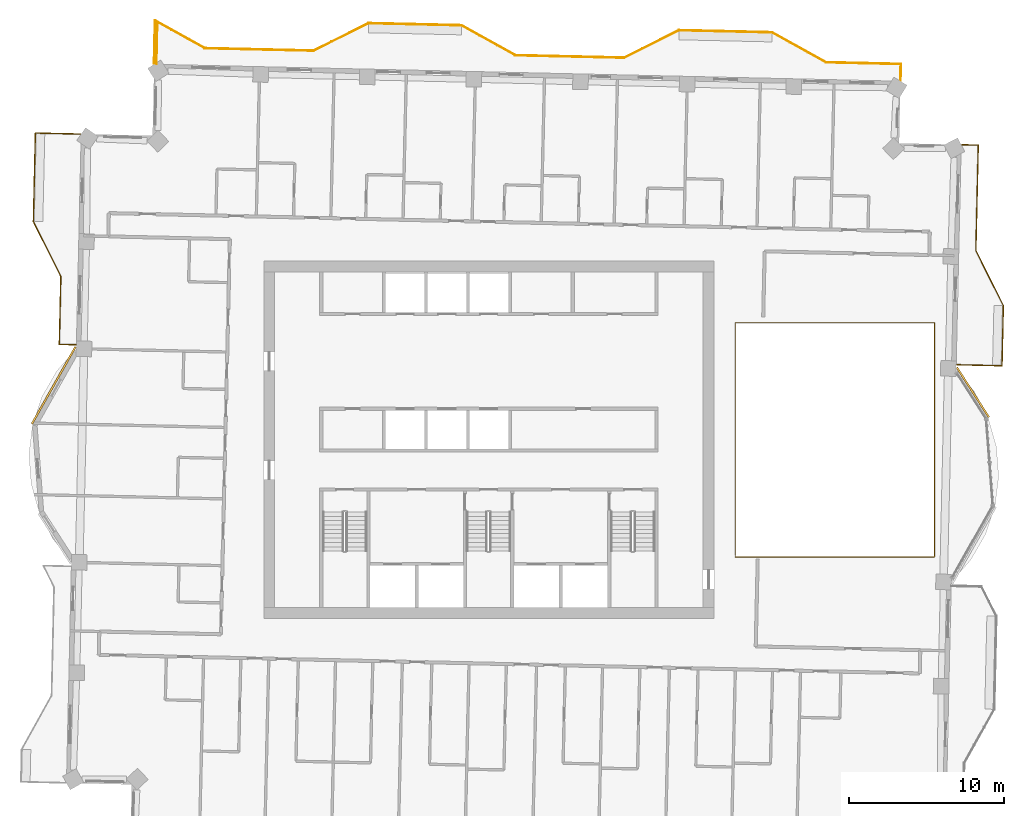
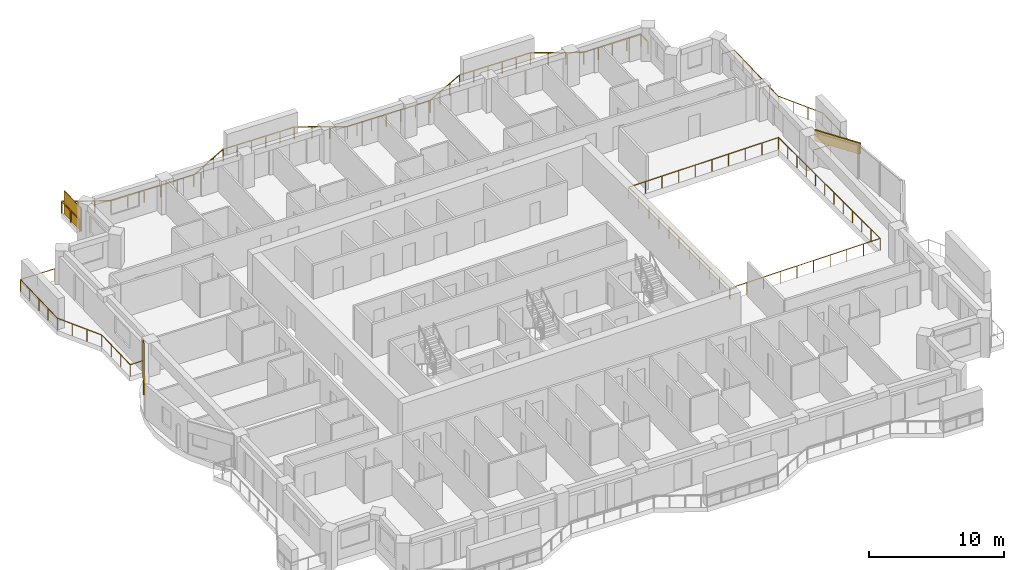
# One storey, part 17 of 17: 4 railings, 2 coverings, 1 shading device.
"""IFC4 building model written with IfcOpenShell, lengths in metres."""

from ifc_helpers import new_model, si_unit, direction, frame, frame_2d, origin, origin_2d, place, context, subcontext, project, spatial, rectangle, extrude, material, layer, layer_set, type_object, element, save


model = new_model("IFC4")

# Units and contexts
model_context = context("Model", 3, precision=1e-05, world=origin(), true_north=direction((0.0, 1.0)))
body_context = subcontext(model_context, "Body", "Model", "MODEL_VIEW")
ifc_project = project(units=[si_unit("LENGTHUNIT", "METRE"), si_unit("AREAUNIT", "SQUARE_METRE"), si_unit("VOLUMEUNIT", "CUBIC_METRE"), si_unit("PLANEANGLEUNIT", "RADIAN"), si_unit("MASSUNIT", "GRAM", prefix="KILO")], contexts=[model_context])

# Site, building, storey
site_placement = place(None, origin())
site = spatial("IfcSite", under=ifc_project, at=site_placement, CompositionType="ELEMENT")
building_placement = place(site_placement, origin())
building = spatial("IfcBuilding", under=site, at=building_placement, Name="Mangrove Gate Tower", CompositionType="ELEMENT")
storey_placement = place(building_placement, frame((0.0, 0.0, 257.300048828125)))
storey = spatial("IfcBuildingStorey", under=building, at=storey_placement, Name="L65", CompositionType="ELEMENT", Elevation=257.300048828125)

# Railings
ifc_material_1 = material(Name="Stainless steel grade 316 with laminated glass infill", Category="steel")
railing_type = type_object("IfcRailingType", Name="Balcony guard 1100", PredefinedType="GUARDRAIL", material=ifc_material_1)
railing_1_placement = place(storey_placement, frame((30.1298828125, 4.830078125, 0.0)))
element("IfcRailing", 1, at=railing_1_placement, inside=storey, type_object=railing_type, Name="GUARD L65 E2", PredefinedType="GUARDRAIL", context=body_context, shape_type="SweptSolid", body=[
    extrude(rectangle(XDim=0.048095703125, YDim=0.048095703125, at=origin_2d()), frame((0.0, 0.0, 1.076171875), z_axis=(0.999741662318, -0.022729026048, 0.0), x_axis=(0.022729026048, 0.999741662318, 0.0)), (0.0, 0.0, 1.0), 2.910888671875),
    extrude(rectangle(XDim=0.048095703125, YDim=0.048095703125, at=origin_2d()), frame((2.91015625, -0.066162109375, 1.076171875), z_axis=(0.022435098042, 0.999748301512, 0.0), x_axis=(-0.999748301512, 0.022435098042, 0.0)), (0.0, 0.0, 1.0), 3.8740234375),
    extrude(rectangle(XDim=0.048095703125, YDim=0.048095703125, at=origin_2d()), frame((2.9970703125, 3.806884765625, 1.076171875), z_axis=(-0.447016280881, 0.894525821107, 0.0), x_axis=(-0.894525821107, -0.447016280881, 0.0)), (0.0, 0.0, 1.0), 3.959716796875),
    extrude(rectangle(XDim=0.048095703125, YDim=0.048095703125, at=origin_2d()), frame((1.22705078125, 7.348876953125, 1.076171875), z_axis=(0.022798884737, 0.999740071646, 0.0), x_axis=(-0.999740071646, 0.022798884737, 0.0)), (0.0, 0.0, 1.0), 6.7998046875),
    extrude(rectangle(XDim=0.048095703125, YDim=0.048095703125, at=origin_2d()), frame((1.382080078125, 14.14697265625, 1.076171875), z_axis=(-0.999745389313, 0.022564497502, 0.0), x_axis=(-0.022564497502, -0.999745389313, 0.0)), (0.0, 0.0, 1.0), 1.060302734375),
    extrude(rectangle(XDim=0.0419921875, YDim=0.0419921875, at=origin_2d()), origin(), (0.0, 0.0, 1.0), 1.052001953125),
    extrude(rectangle(XDim=0.0419921875, YDim=0.0419921875, at=origin_2d()), frame((1.455078125, -0.033203125, 0.0)), (0.0, 0.0, 1.0), 1.052001953125),
    extrude(rectangle(XDim=0.0419921875, YDim=0.0419921875, at=origin_2d()), frame((2.91015625, -0.066162109375, 0.0)), (0.0, 0.0, 1.0), 1.052001953125),
    extrude(rectangle(XDim=0.0419921875, YDim=0.0419921875, at=origin_2d()), frame((2.939208984375, 1.224853515625, 0.0)), (0.0, 0.0, 1.0), 1.052001953125),
    extrude(rectangle(XDim=0.0419921875, YDim=0.0419921875, at=origin_2d()), frame((2.968017578125, 2.515869140625, 0.0)), (0.0, 0.0, 1.0), 1.052001953125),
    extrude(rectangle(XDim=0.0419921875, YDim=0.0419921875, at=origin_2d()), frame((2.9970703125, 3.806884765625, 0.0)), (0.0, 0.0, 1.0), 1.052001953125),
    extrude(rectangle(XDim=0.0419921875, YDim=0.0419921875, at=origin_2d()), frame((2.406982421875, 4.987548828125, 0.0)), (0.0, 0.0, 1.0), 1.052001953125),
    extrude(rectangle(XDim=0.0419921875, YDim=0.0419921875, at=origin_2d()), frame((1.817138671875, 6.168212890625, 0.0)), (0.0, 0.0, 1.0), 1.052001953125),
    extrude(rectangle(XDim=0.0419921875, YDim=0.0419921875, at=origin_2d()), frame((1.22705078125, 7.348876953125, 0.0)), (0.0, 0.0, 1.0), 1.052001953125),
    extrude(rectangle(XDim=0.0419921875, YDim=0.0419921875, at=origin_2d()), frame((1.258056640625, 8.70849609375, 0.0)), (0.0, 0.0, 1.0), 1.052001953125),
    extrude(rectangle(XDim=0.0419921875, YDim=0.0419921875, at=origin_2d()), frame((1.2890625, 10.068115234375, 0.0)), (0.0, 0.0, 1.0), 1.052001953125),
    extrude(rectangle(XDim=0.0419921875, YDim=0.0419921875, at=origin_2d()), frame((1.320068359375, 11.427734375, 0.0)), (0.0, 0.0, 1.0), 1.052001953125),
    extrude(rectangle(XDim=0.0419921875, YDim=0.0419921875, at=origin_2d()), frame((1.35107421875, 12.787353515625, 0.0)), (0.0, 0.0, 1.0), 1.052001953125),
    extrude(rectangle(XDim=0.0419921875, YDim=0.0419921875, at=origin_2d()), frame((1.382080078125, 14.14697265625, 0.0)), (0.0, 0.0, 1.0), 1.052001953125),
    extrude(rectangle(XDim=0.0419921875, YDim=0.0419921875, at=origin_2d()), frame((0.322021484375, 14.1708984375, 0.0)), (0.0, 0.0, 1.0), 1.052001953125),
])
railing_2_placement = place(storey_placement, frame((26.5048828125, 23.131103515625, 0.0)))
element("IfcRailing", 2, at=railing_2_placement, inside=storey, type_object=railing_type, Name="GUARD L65 N1", PredefinedType="GUARDRAIL", context=body_context, shape_type="SweptSolid", body=[
    extrude(rectangle(XDim=0.048095703125, YDim=0.048095703125, at=origin_2d()), frame((0.0, 0.0, 1.076171875), z_axis=(0.022799876723, 0.999740049023, 0.0), x_axis=(-0.999740049023, 0.022799876723, 0.0)), (0.0, 0.0, 1.0), 1.06005859375),
    extrude(rectangle(XDim=0.048095703125, YDim=0.048095703125, at=origin_2d()), frame((0.024169921875, 1.059814453125, 1.076171875), z_axis=(-0.99974079202, 0.022767274147, 0.0), x_axis=(-0.022767274147, -0.99974079202, 0.0)), (0.0, 0.0, 1.0), 4.836181640625),
    extrude(rectangle(XDim=0.048095703125, YDim=0.048095703125, at=origin_2d()), frame((-4.810791015625, 1.169921875, 1.076171875), z_axis=(-0.87325689943, 0.48726008209, 0.0), x_axis=(-0.48726008209, -0.87325689943, 0.0)), (0.0, 0.0, 1.0), 3.958740234375),
    extrude(rectangle(XDim=0.048095703125, YDim=0.048095703125, at=origin_2d()), frame((-8.267822265625, 3.098876953125, 1.076171875), z_axis=(-0.999743178102, 0.022662255828, 0.0), x_axis=(-0.022662255828, -0.999743178102, 0.0)), (0.0, 0.0, 1.0), 6.00048828125),
    extrude(rectangle(XDim=0.048095703125, YDim=0.048095703125, at=origin_2d()), frame((-14.266845703125, 3.23486328125, 1.076171875), z_axis=(-0.894476522376, -0.447114919141, 0.0), x_axis=(0.447114919141, -0.894476522376, 0.0)), (0.0, 0.0, 1.0), 3.958740234375),
    extrude(rectangle(XDim=0.048095703125, YDim=0.048095703125, at=origin_2d()), frame((-17.807861328125, 1.46484375, 1.076171875), z_axis=(-0.999744491972, 0.022604220207, 0.0), x_axis=(-0.022604220207, -0.999744491972, 0.0)), (0.0, 0.0, 1.0), 6.199462890625),
    extrude(rectangle(XDim=0.048095703125, YDim=0.048095703125, at=origin_2d()), frame((-24.005859375, 1.60498046875, 1.076171875), z_axis=(-0.999724057381, 0.023490617155, 0.0), x_axis=(-0.023490617155, -0.999724057381, 0.0)), (0.0, 0.0, 1.0), 0.80029296875),
    extrude(rectangle(XDim=0.048095703125, YDim=0.048095703125, at=origin_2d()), frame((-24.805908203125, 1.623779296875, 1.076171875), z_axis=(-0.873335618354, 0.48711897696, 0.0), x_axis=(-0.48711897696, -0.873335618354, 0.0)), (0.0, 0.0, 1.0), 3.95849609375),
    extrude(rectangle(XDim=0.048095703125, YDim=0.048095703125, at=origin_2d()), frame((-28.262939453125, 3.552001953125, 1.076171875), z_axis=(-0.999739477659, 0.022824916448, 0.0), x_axis=(-0.022824916448, -0.999739477659, 0.0)), (0.0, 0.0, 1.0), 6.00048828125),
    extrude(rectangle(XDim=0.048095703125, YDim=0.048095703125, at=origin_2d()), frame((-34.261962890625, 3.68896484375, 1.076171875), z_axis=(-0.894377854182, -0.447312255532, 0.0), x_axis=(0.447312255532, -0.894377854182, 0.0)), (0.0, 0.0, 1.0), 3.959228515625),
    extrude(rectangle(XDim=0.048095703125, YDim=0.048095703125, at=origin_2d()), frame((-37.802978515625, 1.91796875, 1.076171875), z_axis=(-0.999742177561, 0.022706351659, 0.0), x_axis=(-0.022706351659, -0.999742177561, 0.0)), (0.0, 0.0, 1.0), 6.99951171875),
    extrude(rectangle(XDim=0.048095703125, YDim=0.048095703125, at=origin_2d()), frame((-44.80078125, 2.076904296875, 1.076171875), z_axis=(-0.873186479465, 0.487386265789, 0.0), x_axis=(-0.487386265789, -0.873186479465, 0.0)), (0.0, 0.0, 1.0), 3.66015625),
    extrude(rectangle(XDim=0.048095703125, YDim=0.048095703125, at=origin_2d()), frame((-47.996826171875, 3.86083984375, 1.076171875), z_axis=(-0.022733414695, -0.999741562533, 0.0), x_axis=(0.999741562533, -0.022733414695, 0.0)), (0.0, 0.0, 1.0), 2.770751953125),
    extrude(rectangle(XDim=0.0419921875, YDim=0.0419921875, at=origin_2d()), origin(), (0.0, 0.0, 1.0), 1.052001953125),
    extrude(rectangle(XDim=0.0419921875, YDim=0.0419921875, at=origin_2d()), frame((0.024169921875, 1.059814453125, 0.0)), (0.0, 0.0, 1.0), 1.052001953125),
    extrude(rectangle(XDim=0.0419921875, YDim=0.0419921875, at=origin_2d()), frame((-1.1845703125, 1.08740234375, 0.0)), (0.0, 0.0, 1.0), 1.052001953125),
    extrude(rectangle(XDim=0.0419921875, YDim=0.0419921875, at=origin_2d()), frame((-2.393310546875, 1.11474609375, 0.0)), (0.0, 0.0, 1.0), 1.052001953125),
    extrude(rectangle(XDim=0.0419921875, YDim=0.0419921875, at=origin_2d()), frame((-3.60205078125, 1.142333984375, 0.0)), (0.0, 0.0, 1.0), 1.052001953125),
    extrude(rectangle(XDim=0.0419921875, YDim=0.0419921875, at=origin_2d()), frame((-4.810791015625, 1.169921875, 0.0)), (0.0, 0.0, 1.0), 1.052001953125),
    extrude(rectangle(XDim=0.0419921875, YDim=0.0419921875, at=origin_2d()), frame((-5.963134765625, 1.81298828125, 0.0)), (0.0, 0.0, 1.0), 1.052001953125),
    extrude(rectangle(XDim=0.0419921875, YDim=0.0419921875, at=origin_2d()), frame((-7.115478515625, 2.455810546875, 0.0)), (0.0, 0.0, 1.0), 1.052001953125),
    extrude(rectangle(XDim=0.0419921875, YDim=0.0419921875, at=origin_2d()), frame((-8.267822265625, 3.098876953125, 0.0)), (0.0, 0.0, 1.0), 1.052001953125),
    extrude(rectangle(XDim=0.0419921875, YDim=0.0419921875, at=origin_2d()), frame((-9.467529296875, 3.1259765625, 0.0)), (0.0, 0.0, 1.0), 1.052001953125),
    extrude(rectangle(XDim=0.0419921875, YDim=0.0419921875, at=origin_2d()), frame((-10.66748046875, 3.1533203125, 0.0)), (0.0, 0.0, 1.0), 1.052001953125),
    extrude(rectangle(XDim=0.0419921875, YDim=0.0419921875, at=origin_2d()), frame((-11.8671875, 3.180419921875, 0.0)), (0.0, 0.0, 1.0), 1.052001953125),
    extrude(rectangle(XDim=0.0419921875, YDim=0.0419921875, at=origin_2d()), frame((-13.067138671875, 3.207763671875, 0.0)), (0.0, 0.0, 1.0), 1.052001953125),
    extrude(rectangle(XDim=0.0419921875, YDim=0.0419921875, at=origin_2d()), frame((-14.266845703125, 3.23486328125, 0.0)), (0.0, 0.0, 1.0), 1.052001953125),
    extrude(rectangle(XDim=0.0419921875, YDim=0.0419921875, at=origin_2d()), frame((-15.447265625, 2.644775390625, 0.0)), (0.0, 0.0, 1.0), 1.052001953125),
    extrude(rectangle(XDim=0.0419921875, YDim=0.0419921875, at=origin_2d()), frame((-16.62744140625, 2.054931640625, 0.0)), (0.0, 0.0, 1.0), 1.052001953125),
    extrude(rectangle(XDim=0.0419921875, YDim=0.0419921875, at=origin_2d()), frame((-17.807861328125, 1.46484375, 0.0)), (0.0, 0.0, 1.0), 1.052001953125),
    extrude(rectangle(XDim=0.0419921875, YDim=0.0419921875, at=origin_2d()), frame((-19.04736328125, 1.492919921875, 0.0)), (0.0, 0.0, 1.0), 1.052001953125),
    extrude(rectangle(XDim=0.0419921875, YDim=0.0419921875, at=origin_2d()), frame((-20.287109375, 1.52099609375, 0.0)), (0.0, 0.0, 1.0), 1.052001953125),
    extrude(rectangle(XDim=0.0419921875, YDim=0.0419921875, at=origin_2d()), frame((-21.526611328125, 1.548828125, 0.0)), (0.0, 0.0, 1.0), 1.052001953125),
    extrude(rectangle(XDim=0.0419921875, YDim=0.0419921875, at=origin_2d()), frame((-22.766357421875, 1.576904296875, 0.0)), (0.0, 0.0, 1.0), 1.052001953125),
    extrude(rectangle(XDim=0.0419921875, YDim=0.0419921875, at=origin_2d()), frame((-24.005859375, 1.60498046875, 0.0)), (0.0, 0.0, 1.0), 1.052001953125),
    extrude(rectangle(XDim=0.0419921875, YDim=0.0419921875, at=origin_2d()), frame((-24.805908203125, 1.623779296875, 0.0)), (0.0, 0.0, 1.0), 1.052001953125),
    extrude(rectangle(XDim=0.0419921875, YDim=0.0419921875, at=origin_2d()), frame((-25.958251953125, 2.2666015625, 0.0)), (0.0, 0.0, 1.0), 1.052001953125),
    extrude(rectangle(XDim=0.0419921875, YDim=0.0419921875, at=origin_2d()), frame((-27.110595703125, 2.9091796875, 0.0)), (0.0, 0.0, 1.0), 1.052001953125),
    extrude(rectangle(XDim=0.0419921875, YDim=0.0419921875, at=origin_2d()), frame((-28.262939453125, 3.552001953125, 0.0)), (0.0, 0.0, 1.0), 1.052001953125),
    extrude(rectangle(XDim=0.0419921875, YDim=0.0419921875, at=origin_2d()), frame((-29.462646484375, 3.579345703125, 0.0)), (0.0, 0.0, 1.0), 1.052001953125),
    extrude(rectangle(XDim=0.0419921875, YDim=0.0419921875, at=origin_2d()), frame((-30.66259765625, 3.606689453125, 0.0)), (0.0, 0.0, 1.0), 1.052001953125),
    extrude(rectangle(XDim=0.0419921875, YDim=0.0419921875, at=origin_2d()), frame((-31.8623046875, 3.63427734375, 0.0)), (0.0, 0.0, 1.0), 1.052001953125),
    extrude(rectangle(XDim=0.0419921875, YDim=0.0419921875, at=origin_2d()), frame((-33.062255859375, 3.66162109375, 0.0)), (0.0, 0.0, 1.0), 1.052001953125),
    extrude(rectangle(XDim=0.0419921875, YDim=0.0419921875, at=origin_2d()), frame((-34.261962890625, 3.68896484375, 0.0)), (0.0, 0.0, 1.0), 1.052001953125),
    extrude(rectangle(XDim=0.0419921875, YDim=0.0419921875, at=origin_2d()), frame((-35.4423828125, 3.0986328125, 0.0)), (0.0, 0.0, 1.0), 1.052001953125),
    extrude(rectangle(XDim=0.0419921875, YDim=0.0419921875, at=origin_2d()), frame((-36.62255859375, 2.50830078125, 0.0)), (0.0, 0.0, 1.0), 1.052001953125),
    extrude(rectangle(XDim=0.0419921875, YDim=0.0419921875, at=origin_2d()), frame((-37.802978515625, 1.91796875, 0.0)), (0.0, 0.0, 1.0), 1.052001953125),
    extrude(rectangle(XDim=0.0419921875, YDim=0.0419921875, at=origin_2d()), frame((-39.20263671875, 1.94970703125, 0.0)), (0.0, 0.0, 1.0), 1.052001953125),
    extrude(rectangle(XDim=0.0419921875, YDim=0.0419921875, at=origin_2d()), frame((-40.60205078125, 1.9814453125, 0.0)), (0.0, 0.0, 1.0), 1.052001953125),
    extrude(rectangle(XDim=0.0419921875, YDim=0.0419921875, at=origin_2d()), frame((-42.001708984375, 2.013427734375, 0.0)), (0.0, 0.0, 1.0), 1.052001953125),
    extrude(rectangle(XDim=0.0419921875, YDim=0.0419921875, at=origin_2d()), frame((-43.401123046875, 2.045166015625, 0.0)), (0.0, 0.0, 1.0), 1.052001953125),
    extrude(rectangle(XDim=0.0419921875, YDim=0.0419921875, at=origin_2d()), frame((-44.80078125, 2.076904296875, 0.0)), (0.0, 0.0, 1.0), 1.052001953125),
    extrude(rectangle(XDim=0.0419921875, YDim=0.0419921875, at=origin_2d()), frame((-45.8662109375, 2.671630859375, 0.0)), (0.0, 0.0, 1.0), 1.052001953125),
    extrude(rectangle(XDim=0.0419921875, YDim=0.0419921875, at=origin_2d()), frame((-46.931396484375, 3.26611328125, 0.0)), (0.0, 0.0, 1.0), 1.052001953125),
    extrude(rectangle(XDim=0.0419921875, YDim=0.0419921875, at=origin_2d()), frame((-47.996826171875, 3.86083984375, 0.0)), (0.0, 0.0, 1.0), 1.052001953125),
    extrude(rectangle(XDim=0.0419921875, YDim=0.0419921875, at=origin_2d()), frame((-48.0283203125, 2.475830078125, 0.0)), (0.0, 0.0, 1.0), 1.052001953125),
    extrude(rectangle(XDim=0.0419921875, YDim=0.0419921875, at=origin_2d()), frame((-48.059814453125, 1.0908203125, 0.0)), (0.0, 0.0, 1.0), 1.052001953125),
])
railing_3_placement = place(storey_placement, frame((-26.299072265625, 19.68896484375, 0.0)))
element("IfcRailing", 3, at=railing_3_placement, inside=storey, type_object=railing_type, Name="GUARD L65 W1", PredefinedType="GUARDRAIL", context=body_context, shape_type="SweptSolid", body=[
    extrude(rectangle(XDim=0.048095703125, YDim=0.048095703125, at=origin_2d()), frame((0.0, 0.0, 1.076171875), z_axis=(-0.999750894749, 0.022319239446, 0.0), x_axis=(-0.022319239446, -0.999750894749, 0.0)), (0.0, 0.0, 1.0), 2.90966796875),
    extrude(rectangle(XDim=0.048095703125, YDim=0.048095703125, at=origin_2d()), frame((-2.908935546875, 0.06494140625, 1.076171875), z_axis=(-0.022788544648, -0.999740307396, 0.0), x_axis=(0.999740307396, -0.022788544648, 0.0)), (0.0, 0.0, 1.0), 5.699462890625),
    extrude(rectangle(XDim=0.048095703125, YDim=0.048095703125, at=origin_2d()), frame((-3.038818359375, -5.633056640625, 1.076171875), z_axis=(0.447065574839, -0.894501186021, 0.0), x_axis=(0.894501186021, 0.447065574839, 0.0)), (0.0, 0.0, 1.0), 3.958740234375),
    extrude(rectangle(XDim=0.048095703125, YDim=0.048095703125, at=origin_2d()), frame((-1.26904296875, -9.174072265625, 1.076171875), z_axis=(-0.022600979566, -0.999744565238, 0.0), x_axis=(0.999744565238, -0.022600979566, 0.0)), (0.0, 0.0, 1.0), 4.375),
    extrude(rectangle(XDim=0.048095703125, YDim=0.048095703125, at=origin_2d()), frame((-1.367919921875, -13.5478515625, 1.076171875), z_axis=(0.999740168701, -0.022794628443, 0.0), x_axis=(0.022794628443, 0.999740168701, 0.0)), (0.0, 0.0, 1.0), 1.060302734375),
    extrude(rectangle(XDim=0.0419921875, YDim=0.0419921875, at=origin_2d()), origin(), (0.0, 0.0, 1.0), 1.052001953125),
    extrude(rectangle(XDim=0.0419921875, YDim=0.0419921875, at=origin_2d()), frame((-1.45458984375, 0.032470703125, 0.0)), (0.0, 0.0, 1.0), 1.052001953125),
    extrude(rectangle(XDim=0.0419921875, YDim=0.0419921875, at=origin_2d()), frame((-2.908935546875, 0.06494140625, 0.0)), (0.0, 0.0, 1.0), 1.052001953125),
    extrude(rectangle(XDim=0.0419921875, YDim=0.0419921875, at=origin_2d()), frame((-2.94140625, -1.359619140625, 0.0)), (0.0, 0.0, 1.0), 1.052001953125),
    extrude(rectangle(XDim=0.0419921875, YDim=0.0419921875, at=origin_2d()), frame((-2.973876953125, -2.7841796875, 0.0)), (0.0, 0.0, 1.0), 1.052001953125),
    extrude(rectangle(XDim=0.0419921875, YDim=0.0419921875, at=origin_2d()), frame((-3.00634765625, -4.20849609375, 0.0)), (0.0, 0.0, 1.0), 1.052001953125),
    extrude(rectangle(XDim=0.0419921875, YDim=0.0419921875, at=origin_2d()), frame((-3.038818359375, -5.633056640625, 0.0)), (0.0, 0.0, 1.0), 1.052001953125),
    extrude(rectangle(XDim=0.0419921875, YDim=0.0419921875, at=origin_2d()), frame((-2.448974609375, -6.8134765625, 0.0)), (0.0, 0.0, 1.0), 1.052001953125),
    extrude(rectangle(XDim=0.0419921875, YDim=0.0419921875, at=origin_2d()), frame((-1.85888671875, -7.99365234375, 0.0)), (0.0, 0.0, 1.0), 1.052001953125),
    extrude(rectangle(XDim=0.0419921875, YDim=0.0419921875, at=origin_2d()), frame((-1.26904296875, -9.174072265625, 0.0)), (0.0, 0.0, 1.0), 1.052001953125),
    extrude(rectangle(XDim=0.0419921875, YDim=0.0419921875, at=origin_2d()), frame((-1.302001953125, -10.632080078125, 0.0)), (0.0, 0.0, 1.0), 1.052001953125),
    extrude(rectangle(XDim=0.0419921875, YDim=0.0419921875, at=origin_2d()), frame((-1.3349609375, -12.08984375, 0.0)), (0.0, 0.0, 1.0), 1.052001953125),
    extrude(rectangle(XDim=0.0419921875, YDim=0.0419921875, at=origin_2d()), frame((-1.367919921875, -13.5478515625, 0.0)), (0.0, 0.0, 1.0), 1.052001953125),
    extrude(rectangle(XDim=0.0419921875, YDim=0.0419921875, at=origin_2d()), frame((-0.307861328125, -13.572021484375, 0.0)), (0.0, 0.0, 1.0), 1.052001953125),
])
railing_4_placement = place(storey_placement, frame((15.860107421875, -7.5400390625, 0.0)))
element("IfcRailing", 4, at=railing_4_placement, inside=storey, type_object=railing_type, Name="GUARD L65 atrium", PredefinedType="GUARDRAIL", context=body_context, shape_type="SweptSolid", body=[
    extrude(rectangle(XDim=0.048095703125, YDim=0.048095703125, at=origin_2d()), frame((0.0, 0.0, 1.076171875), z_axis=(1.0, 0.0, 0.0), x_axis=(0.0, 1.0, 0.0)), (0.0, 0.0, 1.0), 12.8388671875),
    extrude(rectangle(XDim=0.048095703125, YDim=0.048095703125, at=origin_2d()), frame((12.8388671875, 0.0, 1.076171875), z_axis=(0.0, 1.0, 0.0), x_axis=(-1.0, 0.0, 0.0)), (0.0, 0.0, 1.0), 15.080078125),
    extrude(rectangle(XDim=0.048095703125, YDim=0.048095703125, at=origin_2d()), frame((12.8388671875, 15.080078125, 1.076171875), z_axis=(-1.0, 0.0, 0.0), x_axis=(0.0, -1.0, 0.0)), (0.0, 0.0, 1.0), 12.8388671875),
    extrude(rectangle(XDim=0.048095703125, YDim=0.048095703125, at=origin_2d()), frame((0.0, 15.080078125, 1.076171875), z_axis=(0.0, -1.0, 0.0), x_axis=(1.0, 0.0, 0.0)), (0.0, 0.0, 1.0), 14.9599609375),
    extrude(rectangle(XDim=0.0419921875, YDim=0.0419921875, at=origin_2d()), origin(), (0.0, 0.0, 1.0), 1.052001953125),
    extrude(rectangle(XDim=0.0419921875, YDim=0.0419921875, at=origin_2d()), frame((1.426513671875, 0.0, 0.0)), (0.0, 0.0, 1.0), 1.052001953125),
    extrude(rectangle(XDim=0.0419921875, YDim=0.0419921875, at=origin_2d()), frame((2.85302734375, 0.0, 0.0)), (0.0, 0.0, 1.0), 1.052001953125),
    extrude(rectangle(XDim=0.0419921875, YDim=0.0419921875, at=origin_2d()), frame((4.279541015625, 0.0, 0.0)), (0.0, 0.0, 1.0), 1.052001953125),
    extrude(rectangle(XDim=0.0419921875, YDim=0.0419921875, at=origin_2d()), frame((5.7060546875, 0.0, 0.0)), (0.0, 0.0, 1.0), 1.052001953125),
    extrude(rectangle(XDim=0.0419921875, YDim=0.0419921875, at=origin_2d()), frame((7.1328125, 0.0, 0.0)), (0.0, 0.0, 1.0), 1.052001953125),
    extrude(rectangle(XDim=0.0419921875, YDim=0.0419921875, at=origin_2d()), frame((8.559326171875, 0.0, 0.0)), (0.0, 0.0, 1.0), 1.052001953125),
    extrude(rectangle(XDim=0.0419921875, YDim=0.0419921875, at=origin_2d()), frame((9.98583984375, 0.0, 0.0)), (0.0, 0.0, 1.0), 1.052001953125),
    extrude(rectangle(XDim=0.0419921875, YDim=0.0419921875, at=origin_2d()), frame((11.412353515625, 0.0, 0.0)), (0.0, 0.0, 1.0), 1.052001953125),
    extrude(rectangle(XDim=0.0419921875, YDim=0.0419921875, at=origin_2d()), frame((12.8388671875, 0.0, 0.0)), (0.0, 0.0, 1.0), 1.052001953125),
    extrude(rectangle(XDim=0.0419921875, YDim=0.0419921875, at=origin_2d()), frame((12.8388671875, 1.370849609375, 0.0)), (0.0, 0.0, 1.0), 1.052001953125),
    extrude(rectangle(XDim=0.0419921875, YDim=0.0419921875, at=origin_2d()), frame((12.8388671875, 2.741943359375, 0.0)), (0.0, 0.0, 1.0), 1.052001953125),
    extrude(rectangle(XDim=0.0419921875, YDim=0.0419921875, at=origin_2d()), frame((12.8388671875, 4.11279296875, 0.0)), (0.0, 0.0, 1.0), 1.052001953125),
    extrude(rectangle(XDim=0.0419921875, YDim=0.0419921875, at=origin_2d()), frame((12.8388671875, 5.483642578125, 0.0)), (0.0, 0.0, 1.0), 1.052001953125),
    extrude(rectangle(XDim=0.0419921875, YDim=0.0419921875, at=origin_2d()), frame((12.8388671875, 6.8544921875, 0.0)), (0.0, 0.0, 1.0), 1.052001953125),
    extrude(rectangle(XDim=0.0419921875, YDim=0.0419921875, at=origin_2d()), frame((12.8388671875, 8.2255859375, 0.0)), (0.0, 0.0, 1.0), 1.052001953125),
    extrude(rectangle(XDim=0.0419921875, YDim=0.0419921875, at=origin_2d()), frame((12.8388671875, 9.596435546875, 0.0)), (0.0, 0.0, 1.0), 1.052001953125),
    extrude(rectangle(XDim=0.0419921875, YDim=0.0419921875, at=origin_2d()), frame((12.8388671875, 10.96728515625, 0.0)), (0.0, 0.0, 1.0), 1.052001953125),
    extrude(rectangle(XDim=0.0419921875, YDim=0.0419921875, at=origin_2d()), frame((12.8388671875, 12.338134765625, 0.0)), (0.0, 0.0, 1.0), 1.052001953125),
    extrude(rectangle(XDim=0.0419921875, YDim=0.0419921875, at=origin_2d()), frame((12.8388671875, 13.709228515625, 0.0)), (0.0, 0.0, 1.0), 1.052001953125),
    extrude(rectangle(XDim=0.0419921875, YDim=0.0419921875, at=origin_2d()), frame((12.8388671875, 15.080078125, 0.0)), (0.0, 0.0, 1.0), 1.052001953125),
    extrude(rectangle(XDim=0.0419921875, YDim=0.0419921875, at=origin_2d()), frame((11.412353515625, 15.080078125, 0.0)), (0.0, 0.0, 1.0), 1.052001953125),
    extrude(rectangle(XDim=0.0419921875, YDim=0.0419921875, at=origin_2d()), frame((9.98583984375, 15.080078125, 0.0)), (0.0, 0.0, 1.0), 1.052001953125),
    extrude(rectangle(XDim=0.0419921875, YDim=0.0419921875, at=origin_2d()), frame((8.559326171875, 15.080078125, 0.0)), (0.0, 0.0, 1.0), 1.052001953125),
    extrude(rectangle(XDim=0.0419921875, YDim=0.0419921875, at=origin_2d()), frame((7.1328125, 15.080078125, 0.0)), (0.0, 0.0, 1.0), 1.052001953125),
    extrude(rectangle(XDim=0.0419921875, YDim=0.0419921875, at=origin_2d()), frame((5.7060546875, 15.080078125, 0.0)), (0.0, 0.0, 1.0), 1.052001953125),
    extrude(rectangle(XDim=0.0419921875, YDim=0.0419921875, at=origin_2d()), frame((4.279541015625, 15.080078125, 0.0)), (0.0, 0.0, 1.0), 1.052001953125),
    extrude(rectangle(XDim=0.0419921875, YDim=0.0419921875, at=origin_2d()), frame((2.85302734375, 15.080078125, 0.0)), (0.0, 0.0, 1.0), 1.052001953125),
    extrude(rectangle(XDim=0.0419921875, YDim=0.0419921875, at=origin_2d()), frame((1.426513671875, 15.080078125, 0.0)), (0.0, 0.0, 1.0), 1.052001953125),
    extrude(rectangle(XDim=0.0419921875, YDim=0.0419921875, at=origin_2d()), frame((0.0, 15.080078125, 0.0)), (0.0, 0.0, 1.0), 1.052001953125),
    extrude(rectangle(XDim=0.0419921875, YDim=0.0419921875, at=origin_2d()), frame((0.0, 13.583984375, 0.0)), (0.0, 0.0, 1.0), 1.052001953125),
    extrude(rectangle(XDim=0.0419921875, YDim=0.0419921875, at=origin_2d()), frame((0.0, 12.088134765625, 0.0)), (0.0, 0.0, 1.0), 1.052001953125),
    extrude(rectangle(XDim=0.0419921875, YDim=0.0419921875, at=origin_2d()), frame((0.0, 10.592041015625, 0.0)), (0.0, 0.0, 1.0), 1.052001953125),
    extrude(rectangle(XDim=0.0419921875, YDim=0.0419921875, at=origin_2d()), frame((0.0, 9.09619140625, 0.0)), (0.0, 0.0, 1.0), 1.052001953125),
    extrude(rectangle(XDim=0.0419921875, YDim=0.0419921875, at=origin_2d()), frame((0.0, 7.60009765625, 0.0)), (0.0, 0.0, 1.0), 1.052001953125),
    extrude(rectangle(XDim=0.0419921875, YDim=0.0419921875, at=origin_2d()), frame((0.0, 6.10400390625, 0.0)), (0.0, 0.0, 1.0), 1.052001953125),
    extrude(rectangle(XDim=0.0419921875, YDim=0.0419921875, at=origin_2d()), frame((0.0, 4.608154296875, 0.0)), (0.0, 0.0, 1.0), 1.052001953125),
    extrude(rectangle(XDim=0.0419921875, YDim=0.0419921875, at=origin_2d()), frame((0.0, 3.112060546875, 0.0)), (0.0, 0.0, 1.0), 1.052001953125),
    extrude(rectangle(XDim=0.0419921875, YDim=0.0419921875, at=origin_2d()), frame((0.0, 1.6162109375, 0.0)), (0.0, 0.0, 1.0), 1.052001953125),
    extrude(rectangle(XDim=0.0419921875, YDim=0.0419921875, at=origin_2d()), frame((0.0, 0.1201171875, 0.0)), (0.0, 0.0, 1.0), 1.052001953125),
])

# Shading device
ifc_material_2 = material(Name="Timber slat screen in teak", Category="wood")
shading_device_type = type_object("IfcShadingDeviceType", Name="Balcony screen 2100", PredefinedType="USERDEFINED", material=ifc_material_2)
shading_device_placement = place(storey_placement, frame((-21.385009765625, 25.52392578125, 0.0), z_axis=(0.0, 0.0, 1.0), x_axis=(0.022809475005, 0.999739830081, 0.0)))
element("IfcShadingDevice", 5, at=shading_device_placement, inside=storey, type_object=shading_device_type, Name="SCREEN L65 N1", ObjectType="SCREEN", PredefinedType="USERDEFINED", context=body_context, shape_type="SweptSolid", body=[
    extrude(rectangle(XDim=2.65087890625, YDim=0.050048828125, at=origin_2d()), origin(), (0.0, 0.0, 1.0), 2.10009765625),
])

# Coverings
ifc_material_3 = material(Name="Limestone", Category="masonry")
ifc_layer_1 = layer(ifc_material_3, 0.0400390625, Name="Limestone cladding")
ifc_material_4 = material(Name="Stainless steel anchors and cavity", Category="steel")
ifc_layer_2 = layer(ifc_material_4, 0.080078125, Name="Fixing cavity")
ifc_layer_set = layer_set([ifc_layer_1, ifc_layer_2], Name="Joint fascia cladding 120")
covering_type = type_object("IfcCoveringType", Name="Joint fascia cladding 120", PredefinedType="CLADDING", material=ifc_layer_set)
covering_1_placement = place(storey_placement, frame((32.195068359375, 1.447021484375, 2.050048828125), z_axis=(0.0, 0.0, 1.0), x_axis=(-0.540602448732, 0.841278189676, 0.0)))
element("IfcCovering", 6, at=covering_1_placement, inside=storey, type_object=covering_type, Name="STONE FASCIA L65 E1.L2", PredefinedType="CLADDING", context=body_context, shape_type="SweptSolid", body=[
    extrude(rectangle(XDim=3.81787109375, YDim=0.1201171875, at=frame_2d((1.908935546875, 0.0))), origin(), (0.0, 0.0, 1.0), 1.0),
])
covering_2_placement = place(storey_placement, frame((-26.6201171875, 5.9931640625, 2.050048828125), z_axis=(0.0, 0.0, 1.0), x_axis=(-0.492443523438, -0.870344400926, 0.0)))
element("IfcCovering", 7, at=covering_2_placement, inside=storey, type_object=covering_type, Name="STONE FASCIA L65 W9.L1", PredefinedType="CLADDING", context=body_context, shape_type="SweptSolid", body=[
    extrude(rectangle(XDim=5.705810546875, YDim=0.1201171875, at=frame_2d((2.85302734375, 0.0))), origin(), (0.0, 0.0, 1.0), 1.0),
])

save(model, "model.ifc")
